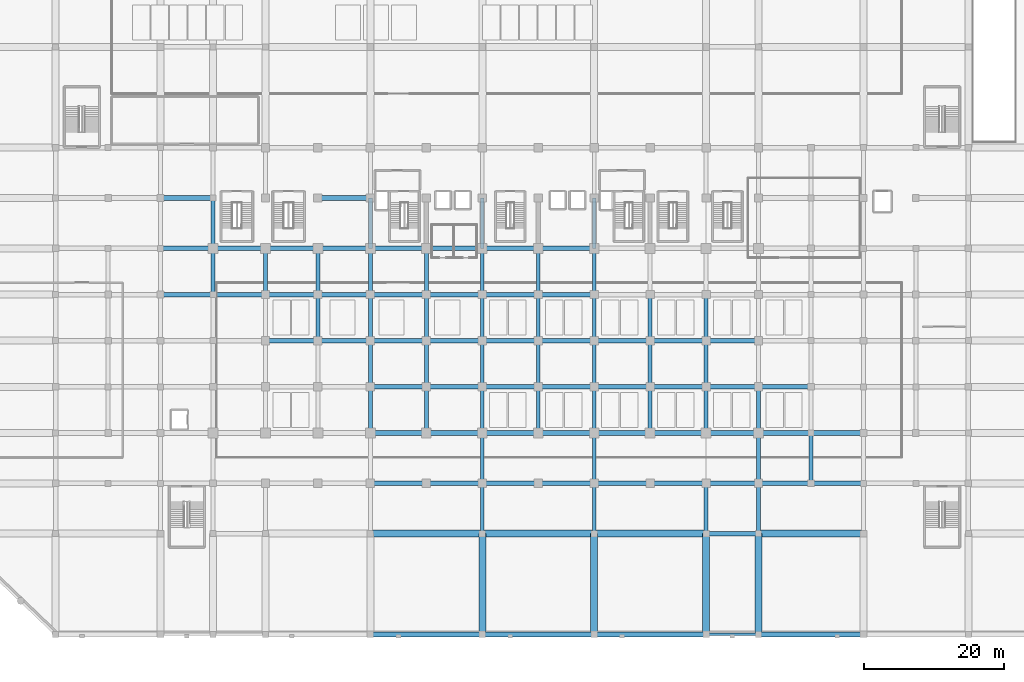
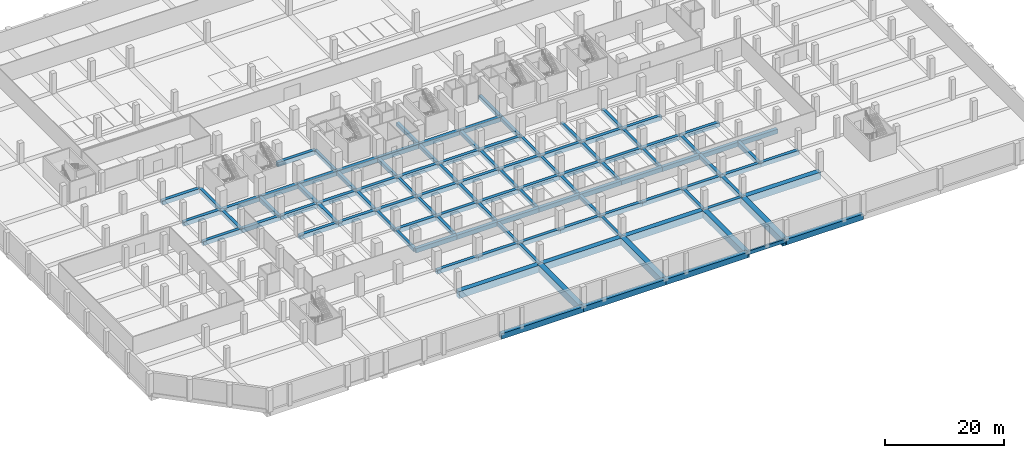
# One storey, part 3 of 25: 110 beams.
"""IFC4 building model written with IfcOpenShell, lengths in metres."""

from ifc_helpers import new_model, si_unit, direction, frame, origin, origin_2d, place, context, subcontext, project, spatial, rectangle, extrude, material, material_profile, profile_set, type_object, element, save


model = new_model("IFC4")

# Units and contexts
model_context = context("Model", 3, precision=1e-05, world=origin(), true_north=direction((0.0, 1.0)))
body_context = subcontext(model_context, "Body", "Model", "MODEL_VIEW")
ifc_project = project(units=[si_unit("LENGTHUNIT", "METRE"), si_unit("AREAUNIT", "SQUARE_METRE"), si_unit("VOLUMEUNIT", "CUBIC_METRE"), si_unit("PLANEANGLEUNIT", "RADIAN"), si_unit("MASSUNIT", "GRAM", prefix="KILO")], contexts=[model_context])

# Site, building, storey
site_placement = place(None, origin())
site = spatial("IfcSite", under=ifc_project, at=site_placement, CompositionType="ELEMENT")
building_placement = place(site_placement, origin())
building = spatial("IfcBuilding", under=site, at=building_placement, Name="Akrevak Sports Hall", CompositionType="ELEMENT")
storey_placement = place(building_placement, frame((0.0, 0.0, -4.5)))
storey = spatial("IfcBuildingStorey", under=building, at=storey_placement, Name="B01", CompositionType="ELEMENT", Elevation=-4.5)

# Beams
ifc_material_1 = material(Name="Concrete C50/60", Category="concrete")
ifc_material_profile_1 = material_profile(ifc_material_1, rectangle(XDim=1.0, YDim=1.449951171875, at=origin_2d()), Name="BM 1000x1450", Category="concrete")
ifc_profile_set_1 = profile_set([ifc_material_profile_1], Name="Concrete C50/60")
beam_type_1 = type_object("IfcBeamType", Name="STR-BM-LG1000x1450", PredefinedType="BEAM", material=ifc_profile_set_1)
for number, where, z_axis, x_axis, name in (
    (1, (60.0, 14.39990234375, -0.72509765625), (1.0, 0.0, 0.0), (0.0, 1.0, 0.0), "Girder C/9-11 (B01)"),
    (2, (76.0, 14.39990234375, -0.72509765625), (1.0, 0.0, 0.0), (0.0, 1.0, 0.0), "Girder C/11-13 (B01)"),
    (3, (92.0, 14.39990234375, -0.72509765625), (1.0, 0.0, 0.0), (0.0, 1.0, 0.0), "Girder C/13-15 (B01)"),
):
    element("IfcBeam", number, at=place(storey_placement, frame(where, z_axis=z_axis, x_axis=x_axis)), inside=storey, type_object=beam_type_1, Name=name, PredefinedType="BEAM", context=body_context, shape_type="SweptSolid", body=[
        extrude(rectangle(XDim=1.0, YDim=1.449951171875, at=origin_2d()), origin(), (0.0, 0.0, 1.0), 16.0),
    ])
beam_1_placement = place(storey_placement, frame((115.5, 14.39990234375, -0.72509765625), z_axis=(1.0, 0.0, 0.0), x_axis=(0.0, 1.0, 0.0)))
element("IfcBeam", 4, at=beam_1_placement, inside=storey, type_object=beam_type_1, Name="Girder C/16-18 (B01)", PredefinedType="BEAM", context=body_context, shape_type="SweptSolid", body=[
    extrude(rectangle(XDim=1.0, YDim=1.449951171875, at=origin_2d()), origin(), (0.0, 0.0, 1.0), 15.0),
])
for number, where, z_axis, x_axis, name in (
    (5, (76.0, 0.0, -0.72509765625), (0.0, 1.0, 0.0), (-1.0, 0.0, 0.0), "Girder 11/A-C (B01)"),
    (6, (92.0, 0.0, -0.72509765625), (0.0, 1.0, 0.0), (-1.0, 0.0, 0.0), "Girder 13/A-C (B01)"),
    (7, (108.0, 0.0, -0.72509765625), (0.0, 1.0, 0.0), (-1.0, 0.0, 0.0), "Girder 15/A-C (B01)"),
    (8, (115.5, 0.0, -0.72509765625), (0.0, 1.0, 0.0), (-1.0, 0.0, 0.0), "Girder 16/A-C (B01)"),
):
    element("IfcBeam", number, at=place(storey_placement, frame(where, z_axis=z_axis, x_axis=x_axis)), inside=storey, type_object=beam_type_1, Name=name, PredefinedType="BEAM", context=body_context, shape_type="SweptSolid", body=[
        extrude(rectangle(XDim=1.0, YDim=1.449951171875, at=origin_2d()), origin(), (0.0, 0.0, 1.0), 14.39990234375),
    ])
ifc_material_2 = material(Name="Concrete C40/50", Category="concrete")
ifc_material_profile_2 = material_profile(ifc_material_2, rectangle(XDim=0.60009765625, YDim=0.85009765625, at=origin_2d()), Name="BM 600x850", Category="concrete")
ifc_profile_set_2 = profile_set([ifc_material_profile_2], Name="Concrete C40/50")
beam_type_2 = type_object("IfcBeamType", Name="STR-BM-RC600x850", PredefinedType="BEAM", material=ifc_profile_set_2)
beam_2_placement = place(storey_placement, frame((37.5, 48.60009765625, -0.425048828125), z_axis=(0.0, 1.0, 0.0), x_axis=(-1.0, 0.0, 0.0)))
element("IfcBeam", 9, at=beam_2_placement, inside=storey, type_object=beam_type_2, Name="Girder 6/H-I (B01)", PredefinedType="BEAM", context=body_context, shape_type="SweptSolid", body=[
    extrude(rectangle(XDim=0.60009765625, YDim=0.85009765625, at=origin_2d()), origin(), (0.0, 0.0, 1.0), 6.599853515625),
])
beam_3_placement = place(storey_placement, frame((37.5, 55.199951171875, -0.425048828125), z_axis=(0.0, 1.0, 0.0), x_axis=(-1.0, 0.0, 0.0)))
element("IfcBeam", 10, at=beam_3_placement, inside=storey, type_object=beam_type_2, Name="Girder 6/I-J (B01)", PredefinedType="BEAM", context=body_context, shape_type="SweptSolid", body=[
    extrude(rectangle(XDim=0.60009765625, YDim=0.85009765625, at=origin_2d()), origin(), (0.0, 0.0, 1.0), 7.199951171875),
])
beam_4_placement = place(storey_placement, frame((45.0, 48.60009765625, -0.425048828125), z_axis=(0.0, 1.0, 0.0), x_axis=(-1.0, 0.0, 0.0)))
element("IfcBeam", 11, at=beam_4_placement, inside=storey, type_object=beam_type_2, Name="Girder 7/H-I (B01)", PredefinedType="BEAM", context=body_context, shape_type="SweptSolid", body=[
    extrude(rectangle(XDim=0.60009765625, YDim=0.85009765625, at=origin_2d()), origin(), (0.0, 0.0, 1.0), 6.599853515625),
])
beam_5_placement = place(storey_placement, frame((52.5, 42.0, -0.425048828125), z_axis=(0.0, 1.0, 0.0), x_axis=(-1.0, 0.0, 0.0)))
element("IfcBeam", 12, at=beam_5_placement, inside=storey, type_object=beam_type_2, Name="Girder 8/G-H (B01)", PredefinedType="BEAM", context=body_context, shape_type="SweptSolid", body=[
    extrude(rectangle(XDim=0.60009765625, YDim=0.85009765625, at=origin_2d()), origin(), (0.0, 0.0, 1.0), 6.60009765625),
])
beam_6_placement = place(storey_placement, frame((52.5, 48.60009765625, -0.425048828125), z_axis=(0.0, 1.0, 0.0), x_axis=(-1.0, 0.0, 0.0)))
element("IfcBeam", 13, at=beam_6_placement, inside=storey, type_object=beam_type_2, Name="Girder 8/H-I (B01)", PredefinedType="BEAM", context=body_context, shape_type="SweptSolid", body=[
    extrude(rectangle(XDim=0.60009765625, YDim=0.85009765625, at=origin_2d()), origin(), (0.0, 0.0, 1.0), 6.599853515625),
])
beam_7_placement = place(storey_placement, frame((115.5, 14.39990234375, -0.425048828125), z_axis=(0.0, 1.0, 0.0), x_axis=(-1.0, 0.0, 0.0)))
element("IfcBeam", 14, at=beam_7_placement, inside=storey, type_object=beam_type_2, Name="Girder 16/C-D (B01)", PredefinedType="BEAM", context=body_context, shape_type="SweptSolid", body=[
    extrude(rectangle(XDim=0.60009765625, YDim=0.85009765625, at=origin_2d()), origin(), (0.0, 0.0, 1.0), 7.2001953125),
])
beam_8_placement = place(storey_placement, frame((115.5, 21.60009765625, -0.425048828125), z_axis=(0.0, 1.0, 0.0), x_axis=(-1.0, 0.0, 0.0)))
element("IfcBeam", 15, at=beam_8_placement, inside=storey, type_object=beam_type_2, Name="Girder 16/D-E (B01)", PredefinedType="BEAM", context=body_context, shape_type="SweptSolid", body=[
    extrude(rectangle(XDim=0.60009765625, YDim=0.85009765625, at=origin_2d()), origin(), (0.0, 0.0, 1.0), 7.199951171875),
])
beam_9_placement = place(storey_placement, frame((115.5, 28.800048828125, -0.425048828125), z_axis=(0.0, 1.0, 0.0), x_axis=(-1.0, 0.0, 0.0)))
element("IfcBeam", 16, at=beam_9_placement, inside=storey, type_object=beam_type_2, Name="Girder 16/E-F (B01)", PredefinedType="BEAM", context=body_context, shape_type="SweptSolid", body=[
    extrude(rectangle(XDim=0.60009765625, YDim=0.85009765625, at=origin_2d()), origin(), (0.0, 0.0, 1.0), 6.599853515625),
])
beam_10_placement = place(storey_placement, frame((123.0, 21.60009765625, -0.425048828125), z_axis=(0.0, 1.0, 0.0), x_axis=(-1.0, 0.0, 0.0)))
element("IfcBeam", 17, at=beam_10_placement, inside=storey, type_object=beam_type_2, Name="Girder 17/D-E (B01)", PredefinedType="BEAM", context=body_context, shape_type="SweptSolid", body=[
    extrude(rectangle(XDim=0.60009765625, YDim=0.85009765625, at=origin_2d()), origin(), (0.0, 0.0, 1.0), 7.199951171875),
])
ifc_material_profile_3 = material_profile(ifc_material_2, rectangle(XDim=0.64990234375, YDim=0.89990234375, at=origin_2d()), Name="BM 650x900", Category="concrete")
ifc_profile_set_3 = profile_set([ifc_material_profile_3], Name="Concrete C40/50")
beam_type_3 = type_object("IfcBeamType", Name="STR-BM-RC650x900", PredefinedType="BEAM", material=ifc_profile_set_3)
beam_11_placement = place(storey_placement, frame((108.0, 14.39990234375, -0.449951171875), z_axis=(1.0, 0.0, 0.0), x_axis=(0.0, 1.0, 0.0)))
element("IfcBeam", 18, at=beam_11_placement, inside=storey, type_object=beam_type_3, Name="Girder C/15-16 (B01)", PredefinedType="BEAM", context=body_context, shape_type="SweptSolid", body=[
    extrude(rectangle(XDim=0.64990234375, YDim=0.89990234375, at=origin_2d()), origin(), (0.0, 0.0, 1.0), 7.5),
])
for number, where, z_axis, x_axis, name in (
    (19, (60.0, 21.60009765625, -0.449951171875), (1.0, 0.0, 0.0), (0.0, 1.0, 0.0), "Girder D/9-10 (B01)"),
    (20, (68.0, 21.60009765625, -0.449951171875), (1.0, 0.0, 0.0), (0.0, 1.0, 0.0), "Girder D/10-11 (B01)"),
    (21, (76.0, 21.60009765625, -0.449951171875), (1.0, 0.0, 0.0), (0.0, 1.0, 0.0), "Girder D/11-12 (B01)"),
    (22, (84.0, 21.60009765625, -0.449951171875), (1.0, 0.0, 0.0), (0.0, 1.0, 0.0), "Girder D/12-13 (B01)"),
    (23, (92.0, 21.60009765625, -0.449951171875), (1.0, 0.0, 0.0), (0.0, 1.0, 0.0), "Girder D/13-14 (B01)"),
    (24, (100.0, 21.60009765625, -0.449951171875), (1.0, 0.0, 0.0), (0.0, 1.0, 0.0), "Girder D/14-15 (B01)"),
):
    element("IfcBeam", number, at=place(storey_placement, frame(where, z_axis=z_axis, x_axis=x_axis)), inside=storey, type_object=beam_type_3, Name=name, PredefinedType="BEAM", context=body_context, shape_type="SweptSolid", body=[
        extrude(rectangle(XDim=0.64990234375, YDim=0.89990234375, at=origin_2d()), origin(), (0.0, 0.0, 1.0), 8.0),
    ])
for number, where, z_axis, x_axis, name in (
    (25, (108.0, 21.60009765625, -0.449951171875), (1.0, 0.0, 0.0), (0.0, 1.0, 0.0), "Girder D/15-16 (B01)"),
    (26, (115.5, 21.60009765625, -0.449951171875), (1.0, 0.0, 0.0), (0.0, 1.0, 0.0), "Girder D/16-17 (B01)"),
    (27, (123.0, 21.60009765625, -0.449951171875), (1.0, 0.0, 0.0), (0.0, 1.0, 0.0), "Girder D/17-18 (B01)"),
):
    element("IfcBeam", number, at=place(storey_placement, frame(where, z_axis=z_axis, x_axis=x_axis)), inside=storey, type_object=beam_type_3, Name=name, PredefinedType="BEAM", context=body_context, shape_type="SweptSolid", body=[
        extrude(rectangle(XDim=0.64990234375, YDim=0.89990234375, at=origin_2d()), origin(), (0.0, 0.0, 1.0), 7.5),
    ])
for number, where, z_axis, x_axis, name in (
    (28, (60.0, 28.800048828125, -0.449951171875), (1.0, 0.0, 0.0), (0.0, 1.0, 0.0), "Girder E/9-10 (B01)"),
    (29, (68.0, 28.800048828125, -0.449951171875), (1.0, 0.0, 0.0), (0.0, 1.0, 0.0), "Girder E/10-11 (B01)"),
    (30, (76.0, 28.800048828125, -0.449951171875), (1.0, 0.0, 0.0), (0.0, 1.0, 0.0), "Girder E/11-12 (B01)"),
    (31, (84.0, 28.800048828125, -0.449951171875), (1.0, 0.0, 0.0), (0.0, 1.0, 0.0), "Girder E/12-13 (B01)"),
    (32, (92.0, 28.800048828125, -0.449951171875), (1.0, 0.0, 0.0), (0.0, 1.0, 0.0), "Girder E/13-14 (B01)"),
    (33, (100.0, 28.800048828125, -0.449951171875), (1.0, 0.0, 0.0), (0.0, 1.0, 0.0), "Girder E/14-15 (B01)"),
):
    element("IfcBeam", number, at=place(storey_placement, frame(where, z_axis=z_axis, x_axis=x_axis)), inside=storey, type_object=beam_type_3, Name=name, PredefinedType="BEAM", context=body_context, shape_type="SweptSolid", body=[
        extrude(rectangle(XDim=0.64990234375, YDim=0.89990234375, at=origin_2d()), origin(), (0.0, 0.0, 1.0), 8.0),
    ])
for number, where, z_axis, x_axis, name in (
    (34, (108.0, 28.800048828125, -0.449951171875), (1.0, 0.0, 0.0), (0.0, 1.0, 0.0), "Girder E/15-16 (B01)"),
    (35, (115.5, 28.800048828125, -0.449951171875), (1.0, 0.0, 0.0), (0.0, 1.0, 0.0), "Girder E/16-17 (B01)"),
    (36, (123.0, 28.800048828125, -0.449951171875), (1.0, 0.0, 0.0), (0.0, 1.0, 0.0), "Girder E/17-18 (B01)"),
):
    element("IfcBeam", number, at=place(storey_placement, frame(where, z_axis=z_axis, x_axis=x_axis)), inside=storey, type_object=beam_type_3, Name=name, PredefinedType="BEAM", context=body_context, shape_type="SweptSolid", body=[
        extrude(rectangle(XDim=0.64990234375, YDim=0.89990234375, at=origin_2d()), origin(), (0.0, 0.0, 1.0), 7.5),
    ])
for number, where, z_axis, x_axis, name in (
    (37, (60.0, 35.39990234375, -0.449951171875), (1.0, 0.0, 0.0), (0.0, 1.0, 0.0), "Girder F/9-10 (B01)"),
    (38, (68.0, 35.39990234375, -0.449951171875), (1.0, 0.0, 0.0), (0.0, 1.0, 0.0), "Girder F/10-11 (B01)"),
    (39, (76.0, 35.39990234375, -0.449951171875), (1.0, 0.0, 0.0), (0.0, 1.0, 0.0), "Girder F/11-12 (B01)"),
    (40, (84.0, 35.39990234375, -0.449951171875), (1.0, 0.0, 0.0), (0.0, 1.0, 0.0), "Girder F/12-13 (B01)"),
    (41, (92.0, 35.39990234375, -0.449951171875), (1.0, 0.0, 0.0), (0.0, 1.0, 0.0), "Girder F/13-14 (B01)"),
    (42, (100.0, 35.39990234375, -0.449951171875), (1.0, 0.0, 0.0), (0.0, 1.0, 0.0), "Girder F/14-15 (B01)"),
):
    element("IfcBeam", number, at=place(storey_placement, frame(where, z_axis=z_axis, x_axis=x_axis)), inside=storey, type_object=beam_type_3, Name=name, PredefinedType="BEAM", context=body_context, shape_type="SweptSolid", body=[
        extrude(rectangle(XDim=0.64990234375, YDim=0.89990234375, at=origin_2d()), origin(), (0.0, 0.0, 1.0), 8.0),
    ])
for number, where, z_axis, x_axis, name in (
    (43, (108.0, 35.39990234375, -0.449951171875), (1.0, 0.0, 0.0), (0.0, 1.0, 0.0), "Girder F/15-16 (B01)"),
    (44, (115.5, 35.39990234375, -0.449951171875), (1.0, 0.0, 0.0), (0.0, 1.0, 0.0), "Girder F/16-17 (B01)"),
    (45, (45.0, 42.0, -0.449951171875), (1.0, 0.0, 0.0), (0.0, 1.0, 0.0), "Girder G/7-8 (B01)"),
    (46, (52.5, 42.0, -0.449951171875), (1.0, 0.0, 0.0), (0.0, 1.0, 0.0), "Girder G/8-9 (B01)"),
):
    element("IfcBeam", number, at=place(storey_placement, frame(where, z_axis=z_axis, x_axis=x_axis)), inside=storey, type_object=beam_type_3, Name=name, PredefinedType="BEAM", context=body_context, shape_type="SweptSolid", body=[
        extrude(rectangle(XDim=0.64990234375, YDim=0.89990234375, at=origin_2d()), origin(), (0.0, 0.0, 1.0), 7.5),
    ])
for number, where, z_axis, x_axis, name in (
    (47, (60.0, 42.0, -0.449951171875), (1.0, 0.0, 0.0), (0.0, 1.0, 0.0), "Girder G/9-10 (B01)"),
    (48, (68.0, 42.0, -0.449951171875), (1.0, 0.0, 0.0), (0.0, 1.0, 0.0), "Girder G/10-11 (B01)"),
    (49, (76.0, 42.0, -0.449951171875), (1.0, 0.0, 0.0), (0.0, 1.0, 0.0), "Girder G/11-12 (B01)"),
    (50, (84.0, 42.0, -0.449951171875), (1.0, 0.0, 0.0), (0.0, 1.0, 0.0), "Girder G/12-13 (B01)"),
    (51, (92.0, 42.0, -0.449951171875), (1.0, 0.0, 0.0), (0.0, 1.0, 0.0), "Girder G/13-14 (B01)"),
    (52, (100.0, 42.0, -0.449951171875), (1.0, 0.0, 0.0), (0.0, 1.0, 0.0), "Girder G/14-15 (B01)"),
):
    element("IfcBeam", number, at=place(storey_placement, frame(where, z_axis=z_axis, x_axis=x_axis)), inside=storey, type_object=beam_type_3, Name=name, PredefinedType="BEAM", context=body_context, shape_type="SweptSolid", body=[
        extrude(rectangle(XDim=0.64990234375, YDim=0.89990234375, at=origin_2d()), origin(), (0.0, 0.0, 1.0), 8.0),
    ])
for number, where, z_axis, x_axis, name in (
    (53, (108.0, 42.0, -0.449951171875), (1.0, 0.0, 0.0), (0.0, 1.0, 0.0), "Girder G/15-16 (B01)"),
    (54, (30.0, 48.60009765625, -0.449951171875), (1.0, 0.0, 0.0), (0.0, 1.0, 0.0), "Girder H/5-6 (B01)"),
    (55, (37.5, 48.60009765625, -0.449951171875), (1.0, 0.0, 0.0), (0.0, 1.0, 0.0), "Girder H/6-7 (B01)"),
    (56, (45.0, 48.60009765625, -0.449951171875), (1.0, 0.0, 0.0), (0.0, 1.0, 0.0), "Girder H/7-8 (B01)"),
    (57, (52.5, 48.60009765625, -0.449951171875), (1.0, 0.0, 0.0), (0.0, 1.0, 0.0), "Girder H/8-9 (B01)"),
):
    element("IfcBeam", number, at=place(storey_placement, frame(where, z_axis=z_axis, x_axis=x_axis)), inside=storey, type_object=beam_type_3, Name=name, PredefinedType="BEAM", context=body_context, shape_type="SweptSolid", body=[
        extrude(rectangle(XDim=0.64990234375, YDim=0.89990234375, at=origin_2d()), origin(), (0.0, 0.0, 1.0), 7.5),
    ])
for number, where, z_axis, x_axis, name in (
    (58, (60.0, 48.60009765625, -0.449951171875), (1.0, 0.0, 0.0), (0.0, 1.0, 0.0), "Girder H/9-10 (B01)"),
    (59, (68.0, 48.60009765625, -0.449951171875), (1.0, 0.0, 0.0), (0.0, 1.0, 0.0), "Girder H/10-11 (B01)"),
    (60, (76.0, 48.60009765625, -0.449951171875), (1.0, 0.0, 0.0), (0.0, 1.0, 0.0), "Girder H/11-12 (B01)"),
    (61, (84.0, 48.60009765625, -0.449951171875), (1.0, 0.0, 0.0), (0.0, 1.0, 0.0), "Girder H/12-13 (B01)"),
):
    element("IfcBeam", number, at=place(storey_placement, frame(where, z_axis=z_axis, x_axis=x_axis)), inside=storey, type_object=beam_type_3, Name=name, PredefinedType="BEAM", context=body_context, shape_type="SweptSolid", body=[
        extrude(rectangle(XDim=0.64990234375, YDim=0.89990234375, at=origin_2d()), origin(), (0.0, 0.0, 1.0), 8.0),
    ])
for number, where, z_axis, x_axis, name in (
    (62, (30.0, 55.199951171875, -0.449951171875), (1.0, 0.0, 0.0), (0.0, 1.0, 0.0), "Girder I/5-6 (B01)"),
    (63, (37.5, 55.199951171875, -0.449951171875), (1.0, 0.0, 0.0), (0.0, 1.0, 0.0), "Girder I/6-7 (B01)"),
    (64, (45.0, 55.199951171875, -0.449951171875), (1.0, 0.0, 0.0), (0.0, 1.0, 0.0), "Girder I/7-8 (B01)"),
    (65, (52.5, 55.199951171875, -0.449951171875), (1.0, 0.0, 0.0), (0.0, 1.0, 0.0), "Girder I/8-9 (B01)"),
):
    element("IfcBeam", number, at=place(storey_placement, frame(where, z_axis=z_axis, x_axis=x_axis)), inside=storey, type_object=beam_type_3, Name=name, PredefinedType="BEAM", context=body_context, shape_type="SweptSolid", body=[
        extrude(rectangle(XDim=0.64990234375, YDim=0.89990234375, at=origin_2d()), origin(), (0.0, 0.0, 1.0), 7.5),
    ])
for number, where, z_axis, x_axis, name in (
    (66, (60.0, 55.199951171875, -0.449951171875), (1.0, 0.0, 0.0), (0.0, 1.0, 0.0), "Girder I/9-10 (B01)"),
    (67, (68.0, 55.199951171875, -0.449951171875), (1.0, 0.0, 0.0), (0.0, 1.0, 0.0), "Girder I/10-11 (B01)"),
    (68, (76.0, 55.199951171875, -0.449951171875), (1.0, 0.0, 0.0), (0.0, 1.0, 0.0), "Girder I/11-12 (B01)"),
    (69, (84.0, 55.199951171875, -0.449951171875), (1.0, 0.0, 0.0), (0.0, 1.0, 0.0), "Girder I/12-13 (B01)"),
):
    element("IfcBeam", number, at=place(storey_placement, frame(where, z_axis=z_axis, x_axis=x_axis)), inside=storey, type_object=beam_type_3, Name=name, PredefinedType="BEAM", context=body_context, shape_type="SweptSolid", body=[
        extrude(rectangle(XDim=0.64990234375, YDim=0.89990234375, at=origin_2d()), origin(), (0.0, 0.0, 1.0), 8.0),
    ])
for number, where, z_axis, x_axis, name in (
    (70, (30.0, 62.39990234375, -0.449951171875), (1.0, 0.0, 0.0), (0.0, 1.0, 0.0), "Girder J/5-6 (B01)"),
    (71, (52.5, 62.39990234375, -0.449951171875), (1.0, 0.0, 0.0), (0.0, 1.0, 0.0), "Girder J/8-9 (B01)"),
):
    element("IfcBeam", number, at=place(storey_placement, frame(where, z_axis=z_axis, x_axis=x_axis)), inside=storey, type_object=beam_type_3, Name=name, PredefinedType="BEAM", context=body_context, shape_type="SweptSolid", body=[
        extrude(rectangle(XDim=0.64990234375, YDim=0.89990234375, at=origin_2d()), origin(), (0.0, 0.0, 1.0), 7.5),
    ])
ifc_material_profile_4 = material_profile(ifc_material_1, rectangle(XDim=0.75, YDim=1.14990234375, at=origin_2d()), Name="SPD 750x1150", Category="concrete")
ifc_profile_set_4 = profile_set([ifc_material_profile_4], Name="Concrete C50/60")
beam_type_4 = type_object("IfcBeamType", Name="STR-SPD-LSP750x1150", PredefinedType="SPANDREL", material=ifc_profile_set_4)
for number, where, z_axis, x_axis, name in (
    (72, (60.0, 0.0, -0.574951171875), (1.0, 0.0, 0.0), (0.0, 1.0, 0.0), "Girder A/9-11 (B01)"),
    (73, (76.0, 0.0, -0.574951171875), (1.0, 0.0, 0.0), (0.0, 1.0, 0.0), "Girder A/11-13 (B01)"),
    (74, (92.0, 0.0, -0.574951171875), (1.0, 0.0, 0.0), (0.0, 1.0, 0.0), "Girder A/13-15 (B01)"),
):
    element("IfcBeam", number, at=place(storey_placement, frame(where, z_axis=z_axis, x_axis=x_axis)), inside=storey, type_object=beam_type_4, Name=name, PredefinedType="SPANDREL", context=body_context, shape_type="SweptSolid", body=[
        extrude(rectangle(XDim=0.75, YDim=1.14990234375, at=origin_2d()), origin(), (0.0, 0.0, 1.0), 16.0),
    ])
beam_12_placement = place(storey_placement, frame((115.5, 0.0, -0.574951171875), z_axis=(1.0, 0.0, 0.0), x_axis=(0.0, 1.0, 0.0)))
element("IfcBeam", 75, at=beam_12_placement, inside=storey, type_object=beam_type_4, Name="Girder A/16-18 (B01)", PredefinedType="SPANDREL", context=body_context, shape_type="SweptSolid", body=[
    extrude(rectangle(XDim=0.75, YDim=1.14990234375, at=origin_2d()), origin(), (0.0, 0.0, 1.0), 15.0),
])
ifc_material_profile_5 = material_profile(ifc_material_2, rectangle(XDim=0.35009765625, YDim=0.75, at=origin_2d()), Name="SPD 350x750", Category="concrete")
ifc_profile_set_5 = profile_set([ifc_material_profile_5], Name="Concrete C40/50")
beam_type_5 = type_object("IfcBeamType", Name="STR-SPD-RC350x750", PredefinedType="SPANDREL", material=ifc_profile_set_5)
beam_13_placement = place(storey_placement, frame((108.0, 0.0, -0.375), z_axis=(1.0, 0.0, 0.0), x_axis=(0.0, 1.0, 0.0)))
element("IfcBeam", 76, at=beam_13_placement, inside=storey, type_object=beam_type_5, Name="Girder A/15-16 (B01)", PredefinedType="SPANDREL", context=body_context, shape_type="SweptSolid", body=[
    extrude(rectangle(XDim=0.35009765625, YDim=0.75, at=origin_2d()), origin(), (0.0, 0.0, 1.0), 7.5),
])
ifc_material_profile_6 = material_profile(ifc_material_2, rectangle(XDim=0.550048828125, YDim=0.719970703125, at=origin_2d()), Name="TBM 550x720", Category="concrete")
ifc_profile_set_6 = profile_set([ifc_material_profile_6], Name="Concrete C40/50")
beam_type_6 = type_object("IfcBeamType", Name="STR-TBM-RC550x720", PredefinedType="T_BEAM", material=ifc_profile_set_6)
beam_14_placement = place(storey_placement, frame((60.0, 28.800048828125, -0.360107421875), z_axis=(0.0, 1.0, 0.0), x_axis=(-1.0, 0.0, 0.0)))
element("IfcBeam", 77, at=beam_14_placement, inside=storey, type_object=beam_type_6, Name="Girder 9/E-F (B01)", PredefinedType="T_BEAM", context=body_context, shape_type="SweptSolid", body=[
    extrude(rectangle(XDim=0.550048828125, YDim=0.719970703125, at=origin_2d()), origin(), (0.0, 0.0, 1.0), 6.599853515625),
])
for number, where, z_axis, x_axis, name in (
    (78, (60.0, 35.39990234375, -0.360107421875), (0.0, 1.0, 0.0), (-1.0, 0.0, 0.0), "Girder 9/F-G (B01)"),
    (79, (60.0, 42.0, -0.360107421875), (0.0, 1.0, 0.0), (-1.0, 0.0, 0.0), "Girder 9/G-H (B01)"),
):
    element("IfcBeam", number, at=place(storey_placement, frame(where, z_axis=z_axis, x_axis=x_axis)), inside=storey, type_object=beam_type_6, Name=name, PredefinedType="T_BEAM", context=body_context, shape_type="SweptSolid", body=[
        extrude(rectangle(XDim=0.550048828125, YDim=0.719970703125, at=origin_2d()), origin(), (0.0, 0.0, 1.0), 6.60009765625),
    ])
beam_15_placement = place(storey_placement, frame((60.0, 48.60009765625, -0.360107421875), z_axis=(0.0, 1.0, 0.0), x_axis=(-1.0, 0.0, 0.0)))
element("IfcBeam", 80, at=beam_15_placement, inside=storey, type_object=beam_type_6, Name="Girder 9/H-I (B01)", PredefinedType="T_BEAM", context=body_context, shape_type="SweptSolid", body=[
    extrude(rectangle(XDim=0.550048828125, YDim=0.719970703125, at=origin_2d()), origin(), (0.0, 0.0, 1.0), 6.599853515625),
])
beam_16_placement = place(storey_placement, frame((60.0, 55.199951171875, -0.360107421875), z_axis=(0.0, 1.0, 0.0), x_axis=(-1.0, 0.0, 0.0)))
element("IfcBeam", 81, at=beam_16_placement, inside=storey, type_object=beam_type_6, Name="Girder 9/I-J (B01)", PredefinedType="T_BEAM", context=body_context, shape_type="SweptSolid", body=[
    extrude(rectangle(XDim=0.550048828125, YDim=0.719970703125, at=origin_2d()), origin(), (0.0, 0.0, 1.0), 7.199951171875),
])
beam_17_placement = place(storey_placement, frame((68.0, 28.800048828125, -0.360107421875), z_axis=(0.0, 1.0, 0.0), x_axis=(-1.0, 0.0, 0.0)))
element("IfcBeam", 82, at=beam_17_placement, inside=storey, type_object=beam_type_6, Name="Girder 10/E-F (B01)", PredefinedType="T_BEAM", context=body_context, shape_type="SweptSolid", body=[
    extrude(rectangle(XDim=0.550048828125, YDim=0.719970703125, at=origin_2d()), origin(), (0.0, 0.0, 1.0), 6.599853515625),
])
for number, where, z_axis, x_axis, name in (
    (83, (68.0, 35.39990234375, -0.360107421875), (0.0, 1.0, 0.0), (-1.0, 0.0, 0.0), "Girder 10/F-G (B01)"),
    (84, (68.0, 42.0, -0.360107421875), (0.0, 1.0, 0.0), (-1.0, 0.0, 0.0), "Girder 10/G-H (B01)"),
):
    element("IfcBeam", number, at=place(storey_placement, frame(where, z_axis=z_axis, x_axis=x_axis)), inside=storey, type_object=beam_type_6, Name=name, PredefinedType="T_BEAM", context=body_context, shape_type="SweptSolid", body=[
        extrude(rectangle(XDim=0.550048828125, YDim=0.719970703125, at=origin_2d()), origin(), (0.0, 0.0, 1.0), 6.60009765625),
    ])
beam_18_placement = place(storey_placement, frame((68.0, 48.60009765625, -0.360107421875), z_axis=(0.0, 1.0, 0.0), x_axis=(-1.0, 0.0, 0.0)))
element("IfcBeam", 85, at=beam_18_placement, inside=storey, type_object=beam_type_6, Name="Girder 10/H-I (B01)", PredefinedType="T_BEAM", context=body_context, shape_type="SweptSolid", body=[
    extrude(rectangle(XDim=0.550048828125, YDim=0.719970703125, at=origin_2d()), origin(), (0.0, 0.0, 1.0), 6.599853515625),
])
beam_19_placement = place(storey_placement, frame((76.0, 14.39990234375, -0.360107421875), z_axis=(0.0, 1.0, 0.0), x_axis=(-1.0, 0.0, 0.0)))
element("IfcBeam", 86, at=beam_19_placement, inside=storey, type_object=beam_type_6, Name="Girder 11/C-D (B01)", PredefinedType="T_BEAM", context=body_context, shape_type="SweptSolid", body=[
    extrude(rectangle(XDim=0.550048828125, YDim=0.719970703125, at=origin_2d()), origin(), (0.0, 0.0, 1.0), 7.2001953125),
])
beam_20_placement = place(storey_placement, frame((76.0, 21.60009765625, -0.360107421875), z_axis=(0.0, 1.0, 0.0), x_axis=(-1.0, 0.0, 0.0)))
element("IfcBeam", 87, at=beam_20_placement, inside=storey, type_object=beam_type_6, Name="Girder 11/D-E (B01)", PredefinedType="T_BEAM", context=body_context, shape_type="SweptSolid", body=[
    extrude(rectangle(XDim=0.550048828125, YDim=0.719970703125, at=origin_2d()), origin(), (0.0, 0.0, 1.0), 7.199951171875),
])
beam_21_placement = place(storey_placement, frame((76.0, 28.800048828125, -0.360107421875), z_axis=(0.0, 1.0, 0.0), x_axis=(-1.0, 0.0, 0.0)))
element("IfcBeam", 88, at=beam_21_placement, inside=storey, type_object=beam_type_6, Name="Girder 11/E-F (B01)", PredefinedType="T_BEAM", context=body_context, shape_type="SweptSolid", body=[
    extrude(rectangle(XDim=0.550048828125, YDim=0.719970703125, at=origin_2d()), origin(), (0.0, 0.0, 1.0), 6.599853515625),
])
for number, where, z_axis, x_axis, name in (
    (89, (76.0, 35.39990234375, -0.360107421875), (0.0, 1.0, 0.0), (-1.0, 0.0, 0.0), "Girder 11/F-G (B01)"),
    (90, (76.0, 42.0, -0.360107421875), (0.0, 1.0, 0.0), (-1.0, 0.0, 0.0), "Girder 11/G-H (B01)"),
):
    element("IfcBeam", number, at=place(storey_placement, frame(where, z_axis=z_axis, x_axis=x_axis)), inside=storey, type_object=beam_type_6, Name=name, PredefinedType="T_BEAM", context=body_context, shape_type="SweptSolid", body=[
        extrude(rectangle(XDim=0.550048828125, YDim=0.719970703125, at=origin_2d()), origin(), (0.0, 0.0, 1.0), 6.60009765625),
    ])
beam_22_placement = place(storey_placement, frame((76.0, 48.60009765625, -0.360107421875), z_axis=(0.0, 1.0, 0.0), x_axis=(-1.0, 0.0, 0.0)))
element("IfcBeam", 91, at=beam_22_placement, inside=storey, type_object=beam_type_6, Name="Girder 11/H-I (B01)", PredefinedType="T_BEAM", context=body_context, shape_type="SweptSolid", body=[
    extrude(rectangle(XDim=0.550048828125, YDim=0.719970703125, at=origin_2d()), origin(), (0.0, 0.0, 1.0), 6.599853515625),
])
beam_23_placement = place(storey_placement, frame((76.0, 55.199951171875, -0.360107421875), z_axis=(0.0, 1.0, 0.0), x_axis=(-1.0, 0.0, 0.0)))
element("IfcBeam", 92, at=beam_23_placement, inside=storey, type_object=beam_type_6, Name="Girder 11/I-J (B01)", PredefinedType="T_BEAM", context=body_context, shape_type="SweptSolid", body=[
    extrude(rectangle(XDim=0.550048828125, YDim=0.719970703125, at=origin_2d()), origin(), (0.0, 0.0, 1.0), 7.199951171875),
])
beam_24_placement = place(storey_placement, frame((84.0, 28.800048828125, -0.360107421875), z_axis=(0.0, 1.0, 0.0), x_axis=(-1.0, 0.0, 0.0)))
element("IfcBeam", 93, at=beam_24_placement, inside=storey, type_object=beam_type_6, Name="Girder 12/E-F (B01)", PredefinedType="T_BEAM", context=body_context, shape_type="SweptSolid", body=[
    extrude(rectangle(XDim=0.550048828125, YDim=0.719970703125, at=origin_2d()), origin(), (0.0, 0.0, 1.0), 6.599853515625),
])
for number, where, z_axis, x_axis, name in (
    (94, (84.0, 35.39990234375, -0.360107421875), (0.0, 1.0, 0.0), (-1.0, 0.0, 0.0), "Girder 12/F-G (B01)"),
    (95, (84.0, 42.0, -0.360107421875), (0.0, 1.0, 0.0), (-1.0, 0.0, 0.0), "Girder 12/G-H (B01)"),
):
    element("IfcBeam", number, at=place(storey_placement, frame(where, z_axis=z_axis, x_axis=x_axis)), inside=storey, type_object=beam_type_6, Name=name, PredefinedType="T_BEAM", context=body_context, shape_type="SweptSolid", body=[
        extrude(rectangle(XDim=0.550048828125, YDim=0.719970703125, at=origin_2d()), origin(), (0.0, 0.0, 1.0), 6.60009765625),
    ])
beam_25_placement = place(storey_placement, frame((84.0, 48.60009765625, -0.360107421875), z_axis=(0.0, 1.0, 0.0), x_axis=(-1.0, 0.0, 0.0)))
element("IfcBeam", 96, at=beam_25_placement, inside=storey, type_object=beam_type_6, Name="Girder 12/H-I (B01)", PredefinedType="T_BEAM", context=body_context, shape_type="SweptSolid", body=[
    extrude(rectangle(XDim=0.550048828125, YDim=0.719970703125, at=origin_2d()), origin(), (0.0, 0.0, 1.0), 6.599853515625),
])
beam_26_placement = place(storey_placement, frame((92.0, 14.39990234375, -0.360107421875), z_axis=(0.0, 1.0, 0.0), x_axis=(-1.0, 0.0, 0.0)))
element("IfcBeam", 97, at=beam_26_placement, inside=storey, type_object=beam_type_6, Name="Girder 13/C-D (B01)", PredefinedType="T_BEAM", context=body_context, shape_type="SweptSolid", body=[
    extrude(rectangle(XDim=0.550048828125, YDim=0.719970703125, at=origin_2d()), origin(), (0.0, 0.0, 1.0), 7.2001953125),
])
beam_27_placement = place(storey_placement, frame((92.0, 21.60009765625, -0.360107421875), z_axis=(0.0, 1.0, 0.0), x_axis=(-1.0, 0.0, 0.0)))
element("IfcBeam", 98, at=beam_27_placement, inside=storey, type_object=beam_type_6, Name="Girder 13/D-E (B01)", PredefinedType="T_BEAM", context=body_context, shape_type="SweptSolid", body=[
    extrude(rectangle(XDim=0.550048828125, YDim=0.719970703125, at=origin_2d()), origin(), (0.0, 0.0, 1.0), 7.199951171875),
])
beam_28_placement = place(storey_placement, frame((92.0, 28.800048828125, -0.360107421875), z_axis=(0.0, 1.0, 0.0), x_axis=(-1.0, 0.0, 0.0)))
element("IfcBeam", 99, at=beam_28_placement, inside=storey, type_object=beam_type_6, Name="Girder 13/E-F (B01)", PredefinedType="T_BEAM", context=body_context, shape_type="SweptSolid", body=[
    extrude(rectangle(XDim=0.550048828125, YDim=0.719970703125, at=origin_2d()), origin(), (0.0, 0.0, 1.0), 6.599853515625),
])
for number, where, z_axis, x_axis, name in (
    (100, (92.0, 35.39990234375, -0.360107421875), (0.0, 1.0, 0.0), (-1.0, 0.0, 0.0), "Girder 13/F-G (B01)"),
    (101, (92.0, 42.0, -0.360107421875), (0.0, 1.0, 0.0), (-1.0, 0.0, 0.0), "Girder 13/G-H (B01)"),
):
    element("IfcBeam", number, at=place(storey_placement, frame(where, z_axis=z_axis, x_axis=x_axis)), inside=storey, type_object=beam_type_6, Name=name, PredefinedType="T_BEAM", context=body_context, shape_type="SweptSolid", body=[
        extrude(rectangle(XDim=0.550048828125, YDim=0.719970703125, at=origin_2d()), origin(), (0.0, 0.0, 1.0), 6.60009765625),
    ])
beam_29_placement = place(storey_placement, frame((92.0, 48.60009765625, -0.360107421875), z_axis=(0.0, 1.0, 0.0), x_axis=(-1.0, 0.0, 0.0)))
element("IfcBeam", 102, at=beam_29_placement, inside=storey, type_object=beam_type_6, Name="Girder 13/H-I (B01)", PredefinedType="T_BEAM", context=body_context, shape_type="SweptSolid", body=[
    extrude(rectangle(XDim=0.550048828125, YDim=0.719970703125, at=origin_2d()), origin(), (0.0, 0.0, 1.0), 6.599853515625),
])
beam_30_placement = place(storey_placement, frame((92.0, 55.199951171875, -0.360107421875), z_axis=(0.0, 1.0, 0.0), x_axis=(-1.0, 0.0, 0.0)))
element("IfcBeam", 103, at=beam_30_placement, inside=storey, type_object=beam_type_6, Name="Girder 13/I-J (B01)", PredefinedType="T_BEAM", context=body_context, shape_type="SweptSolid", body=[
    extrude(rectangle(XDim=0.550048828125, YDim=0.719970703125, at=origin_2d()), origin(), (0.0, 0.0, 1.0), 7.199951171875),
])
beam_31_placement = place(storey_placement, frame((100.0, 28.800048828125, -0.360107421875), z_axis=(0.0, 1.0, 0.0), x_axis=(-1.0, 0.0, 0.0)))
element("IfcBeam", 104, at=beam_31_placement, inside=storey, type_object=beam_type_6, Name="Girder 14/E-F (B01)", PredefinedType="T_BEAM", context=body_context, shape_type="SweptSolid", body=[
    extrude(rectangle(XDim=0.550048828125, YDim=0.719970703125, at=origin_2d()), origin(), (0.0, 0.0, 1.0), 6.599853515625),
])
for number, where, z_axis, x_axis, name in (
    (105, (100.0, 35.39990234375, -0.360107421875), (0.0, 1.0, 0.0), (-1.0, 0.0, 0.0), "Girder 14/F-G (B01)"),
    (106, (100.0, 42.0, -0.360107421875), (0.0, 1.0, 0.0), (-1.0, 0.0, 0.0), "Girder 14/G-H (B01)"),
):
    element("IfcBeam", number, at=place(storey_placement, frame(where, z_axis=z_axis, x_axis=x_axis)), inside=storey, type_object=beam_type_6, Name=name, PredefinedType="T_BEAM", context=body_context, shape_type="SweptSolid", body=[
        extrude(rectangle(XDim=0.550048828125, YDim=0.719970703125, at=origin_2d()), origin(), (0.0, 0.0, 1.0), 6.60009765625),
    ])
beam_32_placement = place(storey_placement, frame((108.0, 14.39990234375, -0.360107421875), z_axis=(0.0, 1.0, 0.0), x_axis=(-1.0, 0.0, 0.0)))
element("IfcBeam", 107, at=beam_32_placement, inside=storey, type_object=beam_type_6, Name="Girder 15/C-D (B01)", PredefinedType="T_BEAM", context=body_context, shape_type="SweptSolid", body=[
    extrude(rectangle(XDim=0.550048828125, YDim=0.719970703125, at=origin_2d()), origin(), (0.0, 0.0, 1.0), 7.2001953125),
])
beam_33_placement = place(storey_placement, frame((108.0, 28.800048828125, -0.360107421875), z_axis=(0.0, 1.0, 0.0), x_axis=(-1.0, 0.0, 0.0)))
element("IfcBeam", 108, at=beam_33_placement, inside=storey, type_object=beam_type_6, Name="Girder 15/E-F (B01)", PredefinedType="T_BEAM", context=body_context, shape_type="SweptSolid", body=[
    extrude(rectangle(XDim=0.550048828125, YDim=0.719970703125, at=origin_2d()), origin(), (0.0, 0.0, 1.0), 6.599853515625),
])
for number, where, z_axis, x_axis, name in (
    (109, (108.0, 35.39990234375, -0.360107421875), (0.0, 1.0, 0.0), (-1.0, 0.0, 0.0), "Girder 15/F-G (B01)"),
    (110, (108.0, 42.0, -0.360107421875), (0.0, 1.0, 0.0), (-1.0, 0.0, 0.0), "Girder 15/G-H (B01)"),
):
    element("IfcBeam", number, at=place(storey_placement, frame(where, z_axis=z_axis, x_axis=x_axis)), inside=storey, type_object=beam_type_6, Name=name, PredefinedType="T_BEAM", context=body_context, shape_type="SweptSolid", body=[
        extrude(rectangle(XDim=0.550048828125, YDim=0.719970703125, at=origin_2d()), origin(), (0.0, 0.0, 1.0), 6.60009765625),
    ])

save(model, "model.ifc")
